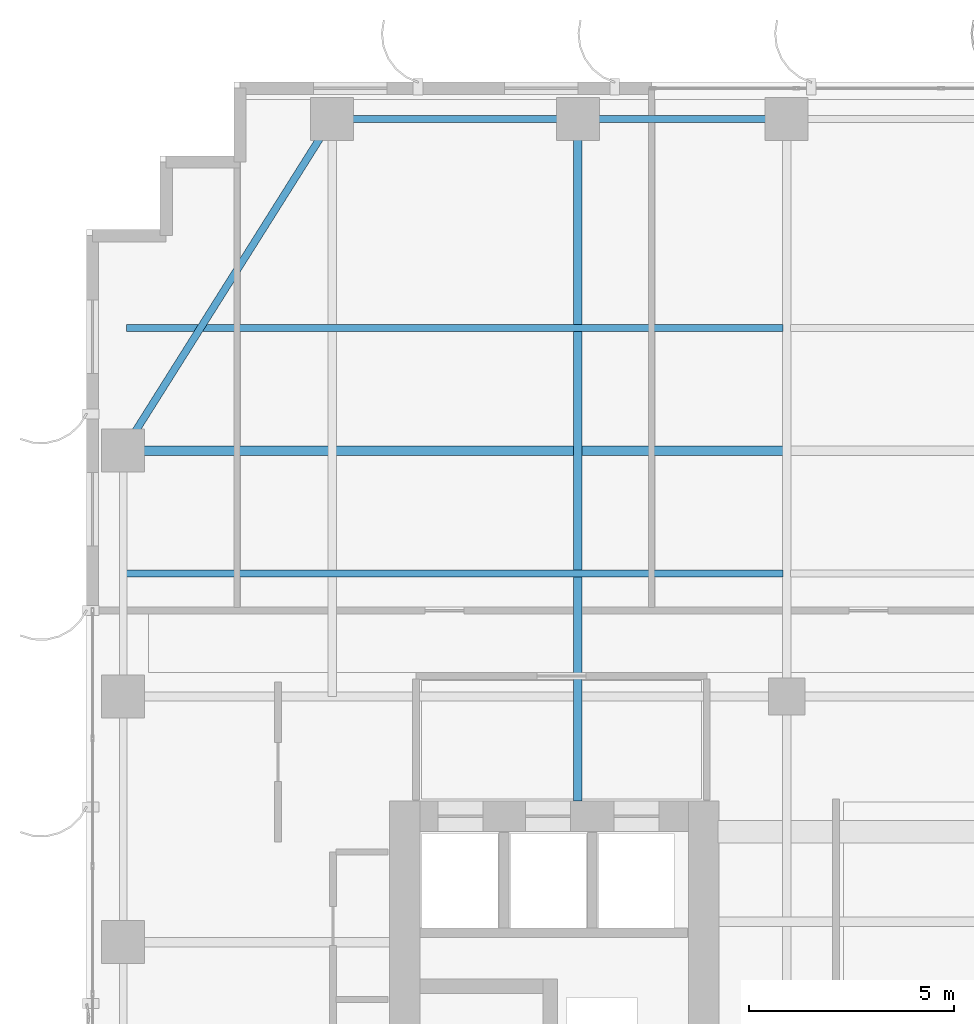
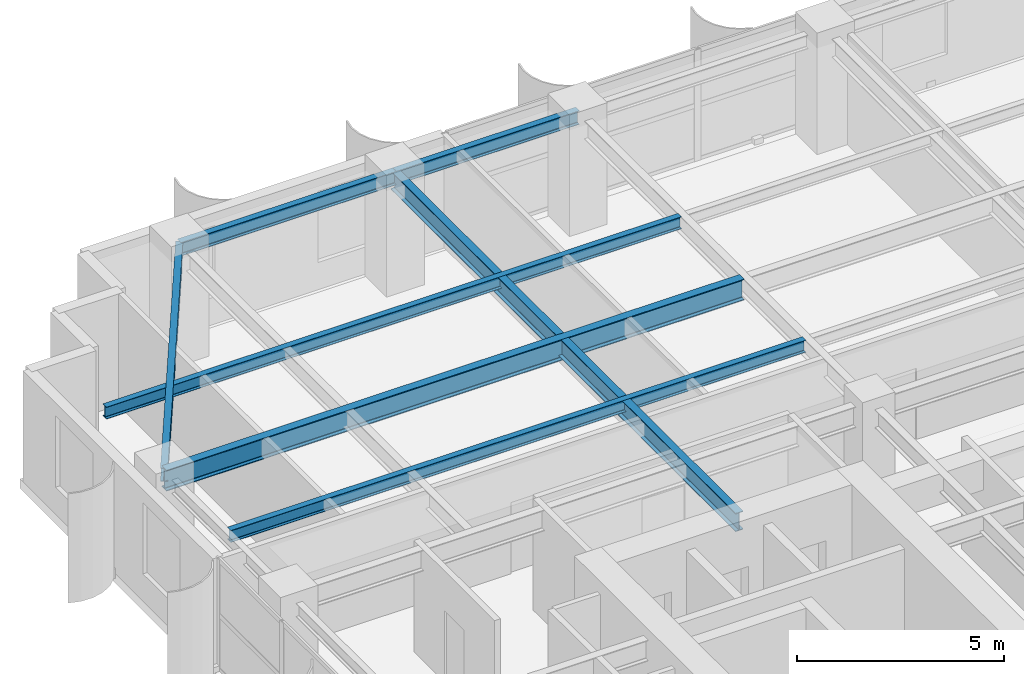
# One storey, part 15 of 28: 7 beams.
"""IFC4 building model written with IfcOpenShell, lengths in metres."""

from ifc_helpers import new_model, si_unit, direction, frame, origin, origin_2d, place, context, subcontext, project, spatial, i_section, extrude, source, transform, mapped, material, material_profile, profile_set, type_object, element, save


model = new_model("IFC4")

# Units and contexts
model_context = context("Model", 3, precision=1e-05, world=origin(), true_north=direction((0.0, 1.0)))
body_context = subcontext(model_context, "Body", "Model", "MODEL_VIEW")
ifc_project = project(units=[si_unit("LENGTHUNIT", "METRE"), si_unit("AREAUNIT", "SQUARE_METRE"), si_unit("VOLUMEUNIT", "CUBIC_METRE"), si_unit("PLANEANGLEUNIT", "RADIAN"), si_unit("MASSUNIT", "GRAM", prefix="KILO")], contexts=[model_context])

# Site, building, storey
site_placement = place(None, origin())
site = spatial("IfcSite", under=ifc_project, at=site_placement, CompositionType="ELEMENT")
building_placement = place(site_placement, origin())
building = spatial("IfcBuilding", under=site, at=building_placement, Name="Khoralis Quay Care Tower", CompositionType="ELEMENT")
storey_placement = place(building_placement, frame((0.0, 0.0, 144.89990234375)))
storey = spatial("IfcBuildingStorey", under=building, at=storey_placement, Name="L38", CompositionType="ELEMENT", Elevation=144.89990234375)

# Beams
ifc_material = material(Name="Steel S355", Category="steel")
ifc_material_profile_1 = material_profile(ifc_material, i_section(OverallWidth=0.179931640625, OverallDepth=0.39990234375, WebThickness=0.008544921875, FlangeThickness=0.013427734375, FilletRadius=0.02099609375, at=origin_2d()), Name="Steel S355")
ifc_profile_set_1 = profile_set([ifc_material_profile_1], Name="Steel S355")
beam_type_1 = type_object("IfcBeamType", Name="BM-IPE400", PredefinedType="SPANDREL", material=ifc_profile_set_1)
shared_shape_1 = source(origin(), body_context, "Body", "SweptSolid", [
    extrude(i_section(OverallWidth=0.179931640625, OverallDepth=0.39990234375, WebThickness=0.008544921875, FlangeThickness=0.013427734375, FilletRadius=0.02099609375, at=origin_2d()), origin(), (0.0, 0.0, 1.0), 6.0),
])
beam_1_placement = place(storey_placement, frame((6.0, 44.10009765625, 3.080078125), z_axis=(1.0, 0.0, 0.0), x_axis=(0.0, 1.0, 0.0)))
element("IfcBeam", 1, at=beam_1_placement, inside=storey, type_object=beam_type_1, Name="BM-TSP-L38-06", PredefinedType="SPANDREL", context=body_context, shape_type="MappedRepresentation", body=[
    mapped(shared_shape_1, transform((0.0, 0.0, 0.0), scale=1.0)),
])
shared_shape_2 = source(origin(), body_context, "Body", "SweptSolid", [
    extrude(i_section(OverallWidth=0.179931640625, OverallDepth=0.39990234375, WebThickness=0.008544921875, FlangeThickness=0.013427734375, FilletRadius=0.02099609375, at=origin_2d()), origin(), (0.0, 0.0, 1.0), 5.10009765625),
])
beam_2_placement = place(storey_placement, frame((12.0, 44.10009765625, 3.080078125), z_axis=(1.0, 0.0, 0.0), x_axis=(0.0, 1.0, 0.0)))
element("IfcBeam", 2, at=beam_2_placement, inside=storey, type_object=beam_type_1, Name="BM-TSP-L38-07", PredefinedType="SPANDREL", context=body_context, shape_type="MappedRepresentation", body=[
    mapped(shared_shape_2, transform((0.0, 0.0, 0.0), scale=1.0)),
])
shared_shape_3 = source(origin(), body_context, "Body", "SweptSolid", [
    extrude(i_section(OverallWidth=0.179931640625, OverallDepth=0.39990234375, WebThickness=0.008544921875, FlangeThickness=0.013427734375, FilletRadius=0.02099609375, at=origin_2d()), origin(), (0.0, 0.0, 1.0), 9.572021484375),
])
beam_3_placement = place(storey_placement, frame((6.0, 44.10009765625, 3.080078125), z_axis=(-0.532815975602, -0.846231136359, 0.0), x_axis=(0.846231136359, -0.532815975602, 0.0)))
element("IfcBeam", 3, at=beam_3_placement, inside=storey, type_object=beam_type_1, Name="BM-TCR-L38-23", PredefinedType="SPANDREL", context=body_context, shape_type="MappedRepresentation", body=[
    mapped(shared_shape_3, transform((0.0, 0.0, 0.0), scale=1.0)),
])
ifc_material_profile_2 = material_profile(ifc_material, i_section(OverallWidth=0.22998046875, OverallDepth=0.616943359375, WebThickness=0.01318359375, FlangeThickness=0.022216796875, FilletRadius=0.01806640625, at=origin_2d()), Name="Steel S355")
ifc_profile_set_2 = profile_set([ifc_material_profile_2], Name="Steel S355")
beam_type_2 = type_object("IfcBeamType", Name="BM-W610X140", PredefinedType="BEAM", material=ifc_profile_set_2)
shared_shape_4 = source(origin(), body_context, "Body", "SweptSolid", [
    extrude(i_section(OverallWidth=0.22998046875, OverallDepth=0.616943359375, WebThickness=0.01318359375, FlangeThickness=0.022216796875, FilletRadius=0.01806640625, at=origin_2d()), origin(), (0.0, 0.0, 1.0), 16.106201171875),
])
beam_4_placement = place(storey_placement, frame((0.89990234375, 36.0, 2.9716796875), z_axis=(1.0, 0.0, 0.0), x_axis=(0.0, 1.0, 0.0)))
element("IfcBeam", 4, at=beam_4_placement, inside=storey, type_object=beam_type_2, Name="BM-TGXW-L38-360", PredefinedType="BEAM", context=body_context, shape_type="MappedRepresentation", body=[
    mapped(shared_shape_4, transform((0.0, 0.0, 0.0), scale=1.0)),
])
ifc_material_profile_3 = material_profile(ifc_material, i_section(OverallWidth=0.2119140625, OverallDepth=0.5439453125, WebThickness=0.01318359375, FlangeThickness=0.021240234375, FilletRadius=0.01611328125, at=origin_2d()), Name="Steel S355")
ifc_profile_set_3 = profile_set([ifc_material_profile_3], Name="Steel S355")
beam_type_3 = type_object("IfcBeamType", Name="BM-W530X123", PredefinedType="BEAM", material=ifc_profile_set_3)
shared_shape_5 = source(origin(), body_context, "Body", "SweptSolid", [
    extrude(i_section(OverallWidth=0.2119140625, OverallDepth=0.5439453125, WebThickness=0.01318359375, FlangeThickness=0.021240234375, FilletRadius=0.01611328125, at=origin_2d()), origin(), (0.0, 0.0, 1.0), 16.652099609375),
])
beam_5_placement = place(storey_placement, frame((12.0, 27.447998046875, 3.008056640625), z_axis=(0.0, 1.0, 0.0), x_axis=(-1.0, 0.0, 0.0)))
element("IfcBeam", 5, at=beam_5_placement, inside=storey, type_object=beam_type_3, Name="BM-TGYN-L38-120", PredefinedType="BEAM", context=body_context, shape_type="MappedRepresentation", body=[
    mapped(shared_shape_5, transform((0.0, 0.0, 0.0), scale=1.0)),
])
ifc_material_profile_4 = material_profile(ifc_material, i_section(OverallWidth=0.1708984375, OverallDepth=0.35498046875, WebThickness=0.007080078125, FlangeThickness=0.01171875, FilletRadius=0.012939453125, at=origin_2d()), Name="Steel S355")
ifc_profile_set_4 = profile_set([ifc_material_profile_4], Name="Steel S355")
beam_type_4 = type_object("IfcBeamType", Name="BM-W360X51", PredefinedType="JOIST", material=ifc_profile_set_4)
shared_shape_6 = source(origin(), body_context, "Body", "SweptSolid", [
    extrude(i_section(OverallWidth=0.1708984375, OverallDepth=0.35498046875, WebThickness=0.007080078125, FlangeThickness=0.01171875, FilletRadius=0.012939453125, at=origin_2d()), origin(), (0.0, 0.0, 1.0), 16.030029296875),
])
for number, where, z_axis, x_axis, name in (
    (6, (0.97607421875, 33.0, 3.1025390625), (1.0, 0.0, 0.0), (0.0, 1.0, 0.0), "BM-TJS-L38-28"),
    (7, (0.97607421875, 39.0, 3.1025390625), (1.0, 0.0, 0.0), (0.0, 1.0, 0.0), "BM-TJS-L38-31"),
):
    element("IfcBeam", number, at=place(storey_placement, frame(where, z_axis=z_axis, x_axis=x_axis)), inside=storey, type_object=beam_type_4, Name=name, PredefinedType="JOIST", context=body_context, shape_type="MappedRepresentation", body=[
        mapped(shared_shape_6, transform((0.0, 0.0, 0.0), scale=1.0)),
    ])

save(model, "model.ifc")
